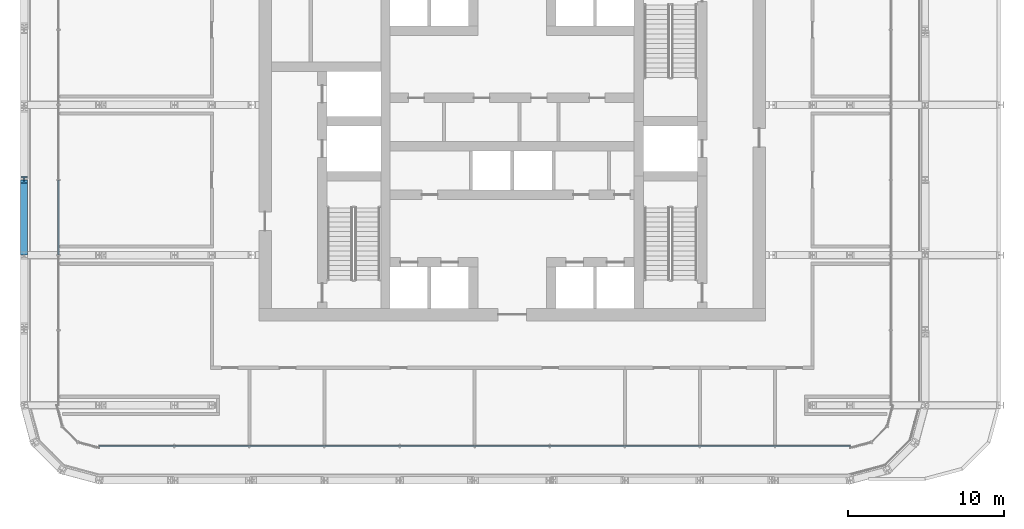
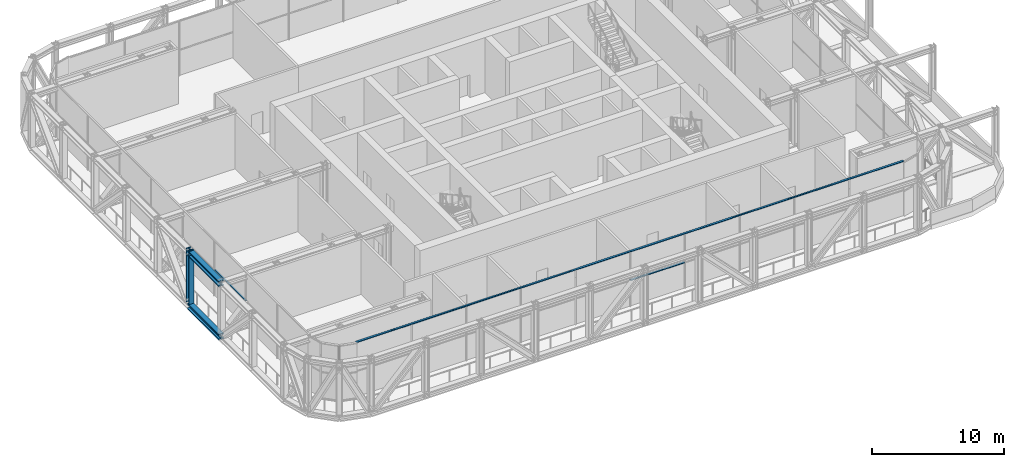
# One storey, part 3 of 25: 6 members, 2 elements without a shape of their own.
"""IFC4 building model written with IfcOpenShell, lengths in metres."""

from ifc_helpers import new_model, si_unit, direction, frame, origin, origin_2d, place, context, subcontext, project, spatial, rectangle, i_section, extrude, material, layer, layer_set, material_profile, profile_set, type_object, element, aggregate, save


model = new_model("IFC4")

# Units and contexts
model_context = context("Model", 3, precision=1e-05, world=origin(), true_north=direction((0.0, 1.0)))
body_context = subcontext(model_context, "Body", "Model", "MODEL_VIEW")
ifc_project = project(units=[si_unit("LENGTHUNIT", "METRE"), si_unit("AREAUNIT", "SQUARE_METRE"), si_unit("VOLUMEUNIT", "CUBIC_METRE"), si_unit("PLANEANGLEUNIT", "RADIAN"), si_unit("MASSUNIT", "GRAM", prefix="KILO")], contexts=[model_context])

# Site, building, storey
site_placement = place(None, origin())
site = spatial("IfcSite", under=ifc_project, at=site_placement, CompositionType="ELEMENT")
building_placement = place(site_placement, origin())
building = spatial("IfcBuilding", under=site, at=building_placement, Name="Madar Terraces", CompositionType="ELEMENT")
storey_placement = place(building_placement, frame((0.0, 0.0, 113.699951171875)))
storey = spatial("IfcBuildingStorey", under=building, at=storey_placement, Name="L29", CompositionType="ELEMENT", Elevation=113.699951171875)

# Member
ifc_material_1 = material(Name="Steel ASTM A913 Grade 65", Category="steel")
ifc_material_profile_1 = material_profile(ifc_material_1, i_section(OverallWidth=0.44189453125, OverallDepth=0.53076171875, WebThickness=0.06591796875, FlangeThickness=0.105712890625, at=origin_2d()), Name="W14x605")
ifc_profile_set_1 = profile_set([ifc_material_profile_1], Name="Steel ASTM A913 Grade 65")
member_type_1 = type_object("IfcMemberType", Name="BC4 W14x605", PredefinedType="CHORD", material=ifc_profile_set_1)
member_1_placement = place(storey_placement, frame((0.0, 24.0, -0.154541015625), z_axis=(0.0, -1.0, 0.0), x_axis=(1.0, 0.0, 0.0)))
element("IfcMember", 1, at=member_1_placement, inside=storey, type_object=member_type_1, Name="Exoskeleton truss ring bottom chord BC4", PredefinedType="CHORD", context=body_context, shape_type="SweptSolid", body=[
    extrude(i_section(OverallWidth=0.44189453125, OverallDepth=0.53076171875, WebThickness=0.06591796875, FlangeThickness=0.105712890625, at=origin_2d()), origin(), (0.0, 0.0, 1.0), 4.800048828125),
])

# Curtain wall, members
ifc_material_2 = material(Name="Glass, ceramic frit dark grey, with black aluminium frame", Category="aluminium")
ifc_layer = layer(ifc_material_2, 0.199951171875)
ifc_layer_set = layer_set([ifc_layer], Name="Facade curtain wall, tall glazing")
curtain_wall_type = type_object("IfcCurtainWallType", Name="Facade curtain wall, tall glazing", PredefinedType="NOTDEFINED", material=ifc_layer_set)
curtain_wall_1_placement = place(storey_placement, origin())
curtain_wall_1 = element("IfcCurtainWall", 2, at=curtain_wall_1_placement, inside=storey, type_object=curtain_wall_type, Name="Outer skin curtain wall south bay 1", PredefinedType="NOTDEFINED")
ifc_material_3 = material(Name="Aluminium, black anodised", Category="aluminium")
ifc_material_profile_2 = material_profile(ifc_material_3, rectangle(XDim=0.1201171875, YDim=0.06005859375, at=origin_2d()), Name="Facade transom 60x120")
ifc_profile_set_2 = profile_set([ifc_material_profile_2], Name="Aluminium, black anodised")
member_type_2 = type_object("IfcMemberType", Name="Facade transom 60x120", PredefinedType="USERDEFINED", material=ifc_profile_set_2)
member_2_placement = place(storey_placement, frame((4.800048828125, 7.0, 5.070068359375), z_axis=(1.0, 0.0, 0.0), x_axis=(0.0, 1.0, 0.0)))
member_2 = element("IfcMember", 3, at=member_2_placement, type_object=member_type_2, Name="Transom 1", ObjectType="TRANSOM", PredefinedType="USERDEFINED", context=body_context, shape_type="SweptSolid", body=[
    extrude(rectangle(XDim=0.1201171875, YDim=0.06005859375, at=origin_2d()), origin(), (0.0, 0.0, 1.0), 48.0),
])
member_3_placement = place(storey_placement, frame((28.830078125, 7.0, 2.400146484375), z_axis=(1.0, 0.0, 0.0), x_axis=(0.0, 1.0, 0.0)))
member_3 = element("IfcMember", 4, at=member_3_placement, type_object=member_type_2, Name="Transom 7", ObjectType="TRANSOM", PredefinedType="USERDEFINED", context=body_context, shape_type="SweptSolid", body=[
    extrude(rectangle(XDim=0.1201171875, YDim=0.06005859375, at=origin_2d()), origin(), (0.0, 0.0, 1.0), 4.739990234375),
])
aggregate(curtain_wall_1, [member_2, member_3])

# Curtain wall, member
curtain_wall_2_placement = place(storey_placement, origin())
curtain_wall_2 = element("IfcCurtainWall", 5, at=curtain_wall_2_placement, inside=storey, type_object=curtain_wall_type, Name="Outer skin curtain wall west bay 1", PredefinedType="NOTDEFINED")
member_4_placement = place(storey_placement, frame((2.199951171875, 23.969970703125, 2.400146484375), z_axis=(0.0, -1.0, 0.0), x_axis=(1.0, 0.0, 0.0)))
member_4 = element("IfcMember", 6, at=member_4_placement, type_object=member_type_2, Name="Transom 7", ObjectType="TRANSOM", PredefinedType="USERDEFINED", context=body_context, shape_type="SweptSolid", body=[
    extrude(rectangle(XDim=0.1201171875, YDim=0.06005859375, at=origin_2d()), origin(), (0.0, 0.0, 1.0), 4.739990234375),
])
aggregate(curtain_wall_2, [member_4])

# Members
ifc_material_4 = material(Name="Steel ASTM A913 Grade 65", Category="steel")
ifc_material_profile_3 = material_profile(ifc_material_4, i_section(OverallWidth=0.431884765625, OverallDepth=0.497802734375, WebThickness=0.0556640625, FlangeThickness=0.0888671875, at=origin_2d()), Name="W14x500")
ifc_profile_set_3 = profile_set([ifc_material_profile_3], Name="Steel ASTM A913 Grade 65")
member_type_3 = type_object("IfcMemberType", Name="TC4 W14x500", PredefinedType="CHORD", material=ifc_profile_set_3)
member_5_placement = place(storey_placement, frame((0.0, 24.0, 4.78125), z_axis=(0.0, -1.0, 0.0), x_axis=(1.0, 0.0, 0.0)))
element("IfcMember", 7, at=member_5_placement, inside=storey, type_object=member_type_3, Name="Exoskeleton truss ring top chord TC4", PredefinedType="CHORD", context=body_context, shape_type="SweptSolid", body=[
    extrude(i_section(OverallWidth=0.431884765625, OverallDepth=0.497802734375, WebThickness=0.0556640625, FlangeThickness=0.0888671875, at=origin_2d()), origin(), (0.0, 0.0, 1.0), 4.800048828125),
])
ifc_material_5 = material(Name="Steel ASTM A913 Grade 65", Category="steel")
ifc_material_profile_4 = material_profile(ifc_material_5, i_section(OverallWidth=0.424072265625, OverallDepth=0.47509765625, WebThickness=0.0478515625, FlangeThickness=0.0771484375, at=origin_2d()), Name="W14x426")
ifc_profile_set_4 = profile_set([ifc_material_profile_4], Name="Steel ASTM A913 Grade 65")
member_type_4 = type_object("IfcMemberType", Name="TV4 W14x426", PredefinedType="POST", material=ifc_profile_set_4)
member_6_placement = place(storey_placement, frame((0.0, 24.0, 0.11083984375), z_axis=(0.0, 0.0, 1.0), x_axis=(1.0, 0.0, 0.0)))
element("IfcMember", 8, at=member_6_placement, inside=storey, type_object=member_type_4, Name="Exoskeleton truss ring post TV4", PredefinedType="POST", context=body_context, shape_type="SweptSolid", body=[
    extrude(i_section(OverallWidth=0.424072265625, OverallDepth=0.47509765625, WebThickness=0.0478515625, FlangeThickness=0.0771484375, at=origin_2d()), origin(), (0.0, 0.0, 1.0), 4.9892578125),
])

save(model, "model.ifc")
